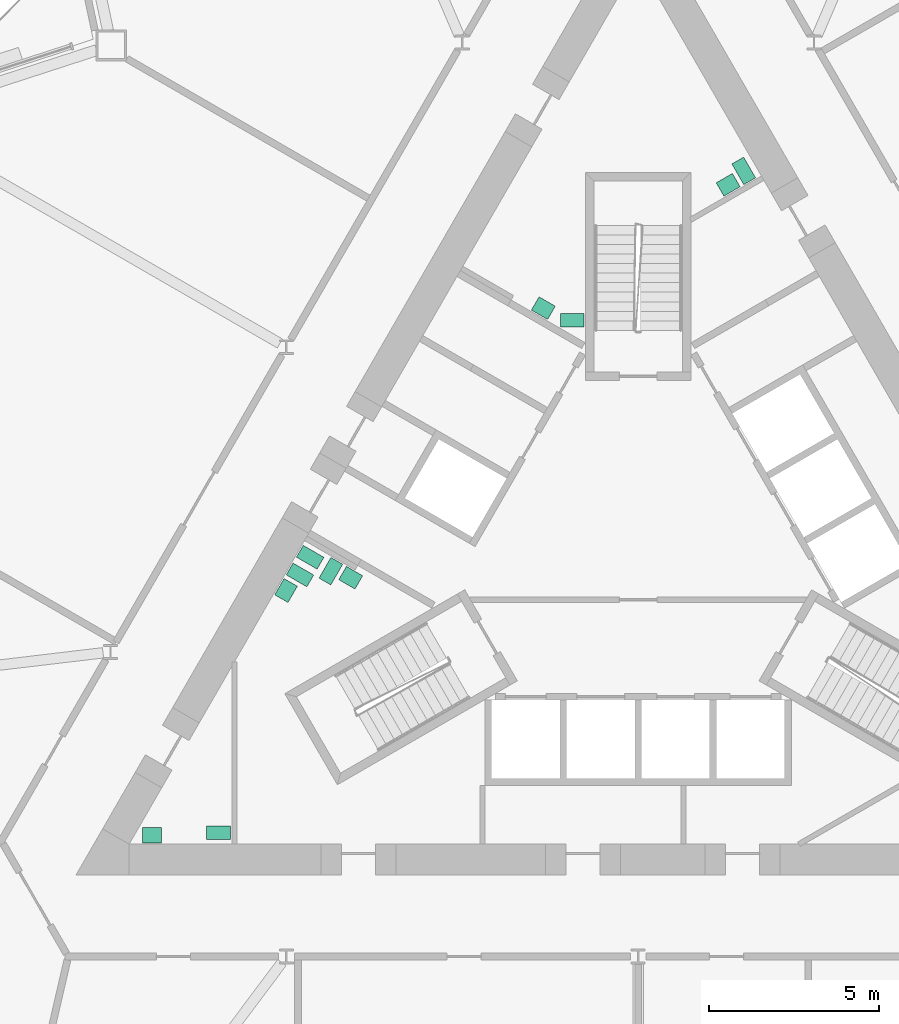
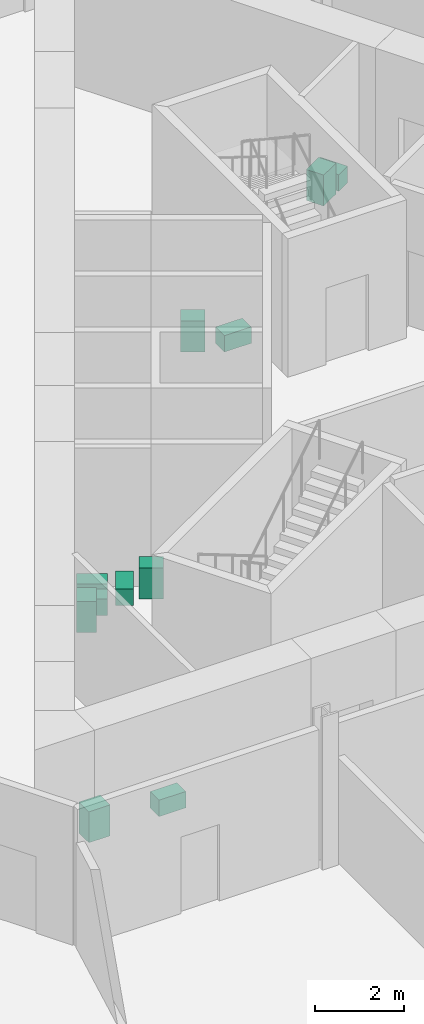
# One storey, part 20 of 21: 11 sanitary terminals.
"""IFC4 building model written with IfcOpenShell, lengths in metres."""

from ifc_helpers import new_model, si_unit, direction, frame, origin, origin_2d, place, context, subcontext, project, spatial, rectangle, extrude, material, type_object, element, save


model = new_model("IFC4")

# Units and contexts
model_context = context("Model", 3, precision=1e-05, world=origin(), true_north=direction((0.0, 1.0)))
body_context = subcontext(model_context, "Body", "Model", "MODEL_VIEW")
ifc_project = project(units=[si_unit("LENGTHUNIT", "METRE"), si_unit("AREAUNIT", "SQUARE_METRE"), si_unit("VOLUMEUNIT", "CUBIC_METRE"), si_unit("PLANEANGLEUNIT", "RADIAN"), si_unit("MASSUNIT", "GRAM", prefix="KILO")], contexts=[model_context])

# Site, building, storey
site_placement = place(None, origin())
site = spatial("IfcSite", under=ifc_project, at=site_placement, CompositionType="ELEMENT")
building_placement = place(site_placement, origin())
building = spatial("IfcBuilding", under=site, at=building_placement, Name="Cormorant Prow Tower", CompositionType="ELEMENT")
storey_placement = place(building_placement, frame((0.0, 0.0, 108.0)))
storey = spatial("IfcBuildingStorey", under=building, at=storey_placement, Name="L22", CompositionType="ELEMENT", Elevation=108.0)

# Sanitary terminals
ifc_material_1 = material(Name="Vitreous china")
sanitary_terminal_type_1 = type_object("IfcSanitaryTerminalType", Name="Wash basin 550x450", PredefinedType="WASHHANDBASIN", material=ifc_material_1)
for number, where, z_axis, x_axis, name in (
    (1, (-8.438232421875, -0.803466796875, 0.0), (0.0, 0.0, 1.0), (-0.866034130299, 0.499984884929, 0.0), "Wash basin"),
    (2, (-10.336181640625, -1.18017578125, 0.0), (0.0, 0.0, 1.0), (-0.499984884929, -0.866034130299, 0.0), "Wash basin"),
    (3, (-2.7841796875, 7.109619140625, 0.0), (0.0, 0.0, 1.0), (0.866034130299, -0.499984884929, 0.0), "Wash basin"),
    (4, (2.640625, 10.730224609375, 0.0), (0.0, 0.0, 1.0), (0.866025403784, 0.5, 0.0), "Wash basin"),
    (5, (-14.27197265625, -8.361328125, 0.0), (0.0, 0.0, 1.0), (1.0, 0.0, 0.0), "Wash basin"),
):
    element("IfcSanitaryTerminal", number, at=place(storey_placement, frame(where, z_axis=z_axis, x_axis=x_axis)), inside=storey, type_object=sanitary_terminal_type_1, Name=name, PredefinedType="WASHHANDBASIN", context=body_context, shape_type="SweptSolid", body=[
        extrude(rectangle(XDim=0.550048828125, YDim=0.449951171875, at=origin_2d()), origin(), (0.0, 0.0, 1.0), 0.85009765625),
    ])
ifc_material_2 = material(Name="Vitreous china")
sanitary_terminal_type_2 = type_object("IfcSanitaryTerminalType", Name="Water closet 400x700", PredefinedType="WCSEAT", material=ifc_material_2)
for number, where, z_axis, x_axis, name in (
    (6, (-9.627685546875, -0.203369140625, 0.0), (0.0, 0.0, 1.0), (-0.499984884929, -0.866034130299, 0.0), "Water closet"),
    (7, (-9.927734375, -0.722900390625, 0.0), (0.0, 0.0, 1.0), (-0.499984884929, -0.866034130299, 0.0), "Water closet"),
    (8, (-9.0205078125, -0.61181640625, 0.0), (0.0, 0.0, 1.0), (-0.866034130299, 0.499984884929, 0.0), "Water closet"),
    (9, (-1.93408203125, 6.7568359375, 0.0), (0.0, 0.0, 1.0), (0.0, 1.0, 0.0), "Water closet"),
    (10, (3.09765625, 11.138427734375, 0.0), (0.0, 0.0, 1.0), (0.866025403784, 0.5, 0.0), "Water closet"),
    (11, (-12.31884765625, -8.286376953125, 0.0), (0.0, 0.0, 1.0), (0.0, 1.0, 0.0), "Water closet"),
):
    element("IfcSanitaryTerminal", number, at=place(storey_placement, frame(where, z_axis=z_axis, x_axis=x_axis)), inside=storey, type_object=sanitary_terminal_type_2, Name=name, PredefinedType="WCSEAT", context=body_context, shape_type="SweptSolid", body=[
        extrude(rectangle(XDim=0.39990234375, YDim=0.699951171875, at=origin_2d()), origin(), (0.0, 0.0, 1.0), 0.449951171875),
    ])

save(model, "model.ifc")
